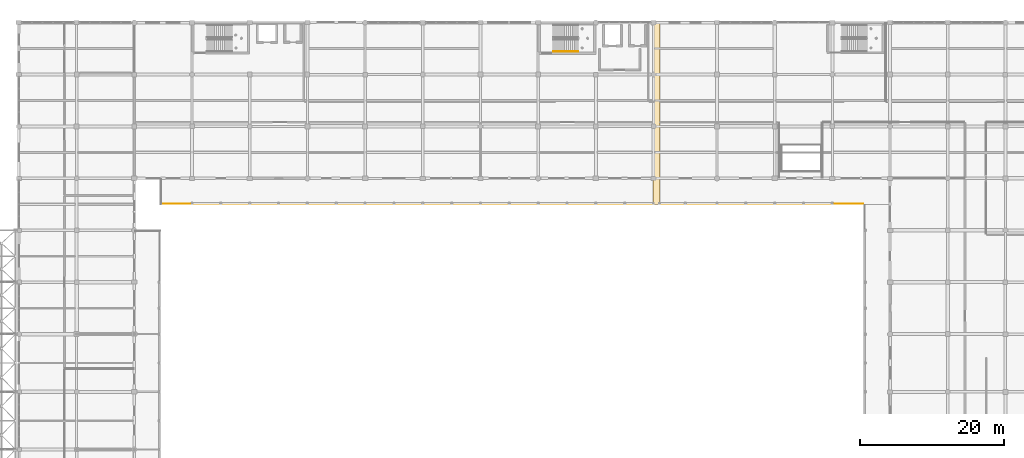
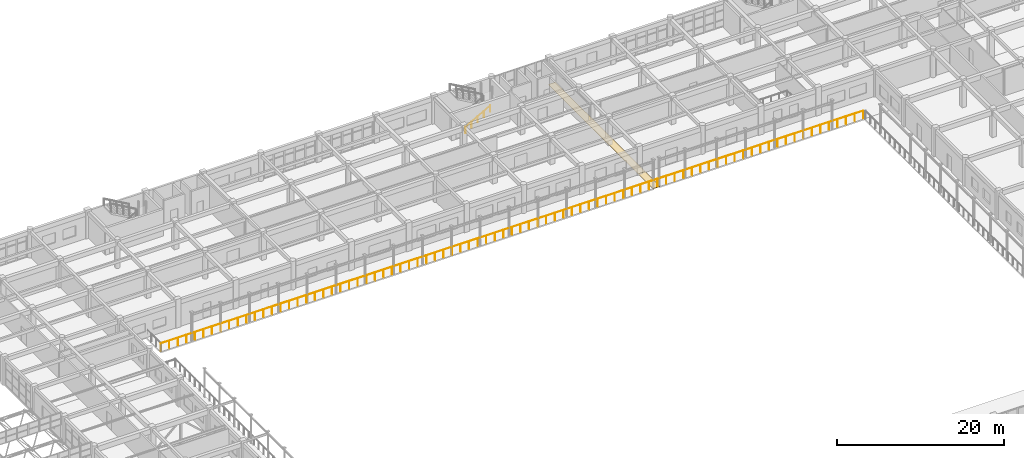
# One storey, part 190 of 195: 2 coverings, 2 railings.
"""IFC4 building model written with IfcOpenShell, lengths in metres."""

from ifc_helpers import new_model, si_unit, direction, frame, origin, origin_2d, place, context, subcontext, project, spatial, polyline, circle, outline, extrude, material, layer, layer_set, type_object, element, save


model = new_model("IFC4")

# Units and contexts
model_context = context("Model", 3, precision=1e-05, world=origin(), true_north=direction((0.0, 1.0)))
body_context = subcontext(model_context, "Body", "Model", "MODEL_VIEW")
ifc_project = project(units=[si_unit("LENGTHUNIT", "METRE"), si_unit("AREAUNIT", "SQUARE_METRE"), si_unit("VOLUMEUNIT", "CUBIC_METRE"), si_unit("PLANEANGLEUNIT", "RADIAN"), si_unit("MASSUNIT", "GRAM", prefix="KILO")], contexts=[model_context])

# Site, building, storey
site_placement = place(None, origin())
site = spatial("IfcSite", under=ifc_project, at=site_placement, CompositionType="ELEMENT")
building_placement = place(site_placement, origin())
building = spatial("IfcBuilding", under=site, at=building_placement, Name="Kharva Crest Polytechnic", CompositionType="ELEMENT")
storey_placement = place(building_placement, frame((0.0, 0.0, 9.0)))
storey = spatial("IfcBuildingStorey", under=building, at=storey_placement, Name="L02", CompositionType="ELEMENT", Elevation=9.0)

# Coverings
ifc_material_1 = material(Name="Anodised aluminium", Category="aluminium")
ifc_layer = layer(ifc_material_1, 0.030029296875, Name="Anodised aluminium")
ifc_layer_set = layer_set([ifc_layer], Name="Anodised aluminium")
covering_type = type_object("IfcCoveringType", Name="COV-SEISMIC-JOINT", PredefinedType="FLOORING", material=ifc_layer_set)
covering_1_placement = place(storey_placement, frame((0.0, 0.0, -0.030029296875)))
element("IfcCovering", 1, at=covering_1_placement, inside=storey, type_object=covering_type, Name="L02 Seismic Expansion Joint Floor Cover N_LAB", PredefinedType="FLOORING", context=body_context, shape_type="SweptSolid", body=[
    extrude(outline(polyline([(119.89990234375, 100.39990234375), (120.89990234375, 100.39990234375), (120.89990234375, 122.0), (119.89990234375, 122.0), (119.89990234375, 100.39990234375)])), origin(), (0.0, 0.0, 1.0), 0.030029296875),
])
covering_2_placement = place(storey_placement, frame((0.0, 0.0, -0.030029296875)))
element("IfcCovering", 2, at=covering_2_placement, inside=storey, type_object=covering_type, Name="L02 Veranda Expansion Joint Floor Cover VER_N_L02", PredefinedType="FLOORING", context=body_context, shape_type="SweptSolid", body=[
    extrude(outline(polyline([(119.89990234375, 96.800048828125), (120.89990234375, 96.800048828125), (120.89990234375, 100.39990234375), (119.89990234375, 100.39990234375), (119.89990234375, 96.800048828125)])), origin(), (0.0, 0.0, 1.0), 0.030029296875),
])

# Railings
railing_type_1 = type_object("IfcRailingType", Name="RL-BALUSTRADE-1200", PredefinedType="BALUSTRADE", material=ifc_material_1)
railing_1_placement = place(storey_placement, frame((51.659912109375, 96.8798828125, 0.0)))
element("IfcRailing", 3, at=railing_1_placement, inside=storey, type_object=railing_type_1, Name="L02 VER_N_L02 S Balustrade 15", PredefinedType="BALUSTRADE", context=body_context, shape_type="SweptSolid", body=[
    extrude(circle(Radius=0.02392578125, at=origin_2d()), frame((0.0, 0.0, 1.17578125), z_axis=(1.0, 0.0, 0.0), x_axis=(0.0, 1.0, 0.0)), (0.0, 0.0, 1.0), 97.42529296875),
    extrude(circle(Radius=0.02099609375, at=origin_2d()), origin(), (0.0, 0.0, 1.0), 1.15185546875),
    extrude(circle(Radius=0.02099609375, at=origin_2d()), frame((1.188232421875, 0.0, 0.0)), (0.0, 0.0, 1.0), 1.15185546875),
    extrude(circle(Radius=0.02099609375, at=origin_2d()), frame((2.376220703125, 0.0, 0.0)), (0.0, 0.0, 1.0), 1.15185546875),
    extrude(circle(Radius=0.02099609375, at=origin_2d()), frame((3.564453125, 0.0, 0.0)), (0.0, 0.0, 1.0), 1.15185546875),
    extrude(circle(Radius=0.02099609375, at=origin_2d()), frame((4.75244140625, 0.0, 0.0)), (0.0, 0.0, 1.0), 1.15185546875),
    extrude(circle(Radius=0.02099609375, at=origin_2d()), frame((5.940673828125, 0.0, 0.0)), (0.0, 0.0, 1.0), 1.15185546875),
    extrude(circle(Radius=0.02099609375, at=origin_2d()), frame((7.128662109375, 0.0, 0.0)), (0.0, 0.0, 1.0), 1.15185546875),
    extrude(circle(Radius=0.02099609375, at=origin_2d()), frame((8.31689453125, 0.0, 0.0)), (0.0, 0.0, 1.0), 1.15185546875),
    extrude(circle(Radius=0.02099609375, at=origin_2d()), frame((9.5048828125, 0.0, 0.0)), (0.0, 0.0, 1.0), 1.15185546875),
    extrude(circle(Radius=0.02099609375, at=origin_2d()), frame((10.693115234375, 0.0, 0.0)), (0.0, 0.0, 1.0), 1.15185546875),
    extrude(circle(Radius=0.02099609375, at=origin_2d()), frame((11.881103515625, 0.0, 0.0)), (0.0, 0.0, 1.0), 1.15185546875),
    extrude(circle(Radius=0.02099609375, at=origin_2d()), frame((13.0693359375, 0.0, 0.0)), (0.0, 0.0, 1.0), 1.15185546875),
    extrude(circle(Radius=0.02099609375, at=origin_2d()), frame((14.25732421875, 0.0, 0.0)), (0.0, 0.0, 1.0), 1.15185546875),
    extrude(circle(Radius=0.02099609375, at=origin_2d()), frame((15.445556640625, 0.0, 0.0)), (0.0, 0.0, 1.0), 1.15185546875),
    extrude(circle(Radius=0.02099609375, at=origin_2d()), frame((16.633544921875, 0.0, 0.0)), (0.0, 0.0, 1.0), 1.15185546875),
    extrude(circle(Radius=0.02099609375, at=origin_2d()), frame((17.82177734375, 0.0, 0.0)), (0.0, 0.0, 1.0), 1.15185546875),
    extrude(circle(Radius=0.02099609375, at=origin_2d()), frame((19.009765625, 0.0, 0.0)), (0.0, 0.0, 1.0), 1.15185546875),
    extrude(circle(Radius=0.02099609375, at=origin_2d()), frame((20.197998046875, 0.0, 0.0)), (0.0, 0.0, 1.0), 1.15185546875),
    extrude(circle(Radius=0.02099609375, at=origin_2d()), frame((21.385986328125, 0.0, 0.0)), (0.0, 0.0, 1.0), 1.15185546875),
    extrude(circle(Radius=0.02099609375, at=origin_2d()), frame((22.57421875, 0.0, 0.0)), (0.0, 0.0, 1.0), 1.15185546875),
    extrude(circle(Radius=0.02099609375, at=origin_2d()), frame((23.76220703125, 0.0, 0.0)), (0.0, 0.0, 1.0), 1.15185546875),
    extrude(circle(Radius=0.02099609375, at=origin_2d()), frame((24.950439453125, 0.0, 0.0)), (0.0, 0.0, 1.0), 1.15185546875),
    extrude(circle(Radius=0.02099609375, at=origin_2d()), frame((26.138427734375, 0.0, 0.0)), (0.0, 0.0, 1.0), 1.15185546875),
    extrude(circle(Radius=0.02099609375, at=origin_2d()), frame((27.32666015625, 0.0, 0.0)), (0.0, 0.0, 1.0), 1.15185546875),
    extrude(circle(Radius=0.02099609375, at=origin_2d()), frame((28.5146484375, 0.0, 0.0)), (0.0, 0.0, 1.0), 1.15185546875),
    extrude(circle(Radius=0.02099609375, at=origin_2d()), frame((29.702880859375, 0.0, 0.0)), (0.0, 0.0, 1.0), 1.15185546875),
    extrude(circle(Radius=0.02099609375, at=origin_2d()), frame((30.890869140625, 0.0, 0.0)), (0.0, 0.0, 1.0), 1.15185546875),
    extrude(circle(Radius=0.02099609375, at=origin_2d()), frame((32.0791015625, 0.0, 0.0)), (0.0, 0.0, 1.0), 1.15185546875),
    extrude(circle(Radius=0.02099609375, at=origin_2d()), frame((33.26708984375, 0.0, 0.0)), (0.0, 0.0, 1.0), 1.15185546875),
    extrude(circle(Radius=0.02099609375, at=origin_2d()), frame((34.455322265625, 0.0, 0.0)), (0.0, 0.0, 1.0), 1.15185546875),
    extrude(circle(Radius=0.02099609375, at=origin_2d()), frame((35.643310546875, 0.0, 0.0)), (0.0, 0.0, 1.0), 1.15185546875),
    extrude(circle(Radius=0.02099609375, at=origin_2d()), frame((36.83154296875, 0.0, 0.0)), (0.0, 0.0, 1.0), 1.15185546875),
    extrude(circle(Radius=0.02099609375, at=origin_2d()), frame((38.01953125, 0.0, 0.0)), (0.0, 0.0, 1.0), 1.15185546875),
    extrude(circle(Radius=0.02099609375, at=origin_2d()), frame((39.207763671875, 0.0, 0.0)), (0.0, 0.0, 1.0), 1.15185546875),
    extrude(circle(Radius=0.02099609375, at=origin_2d()), frame((40.395751953125, 0.0, 0.0)), (0.0, 0.0, 1.0), 1.15185546875),
    extrude(circle(Radius=0.02099609375, at=origin_2d()), frame((41.583984375, 0.0, 0.0)), (0.0, 0.0, 1.0), 1.15185546875),
    extrude(circle(Radius=0.02099609375, at=origin_2d()), frame((42.77197265625, 0.0, 0.0)), (0.0, 0.0, 1.0), 1.15185546875),
    extrude(circle(Radius=0.02099609375, at=origin_2d()), frame((43.960205078125, 0.0, 0.0)), (0.0, 0.0, 1.0), 1.15185546875),
    extrude(circle(Radius=0.02099609375, at=origin_2d()), frame((45.148193359375, 0.0, 0.0)), (0.0, 0.0, 1.0), 1.15185546875),
    extrude(circle(Radius=0.02099609375, at=origin_2d()), frame((46.33642578125, 0.0, 0.0)), (0.0, 0.0, 1.0), 1.15185546875),
    extrude(circle(Radius=0.02099609375, at=origin_2d()), frame((47.5244140625, 0.0, 0.0)), (0.0, 0.0, 1.0), 1.15185546875),
    extrude(circle(Radius=0.02099609375, at=origin_2d()), frame((48.712646484375, 0.0, 0.0)), (0.0, 0.0, 1.0), 1.15185546875),
    extrude(circle(Radius=0.02099609375, at=origin_2d()), frame((49.90087890625, 0.0, 0.0)), (0.0, 0.0, 1.0), 1.15185546875),
    extrude(circle(Radius=0.02099609375, at=origin_2d()), frame((51.0888671875, 0.0, 0.0)), (0.0, 0.0, 1.0), 1.15185546875),
    extrude(circle(Radius=0.02099609375, at=origin_2d()), frame((52.277099609375, 0.0, 0.0)), (0.0, 0.0, 1.0), 1.15185546875),
    extrude(circle(Radius=0.02099609375, at=origin_2d()), frame((53.465087890625, 0.0, 0.0)), (0.0, 0.0, 1.0), 1.15185546875),
    extrude(circle(Radius=0.02099609375, at=origin_2d()), frame((54.6533203125, 0.0, 0.0)), (0.0, 0.0, 1.0), 1.15185546875),
    extrude(circle(Radius=0.02099609375, at=origin_2d()), frame((55.84130859375, 0.0, 0.0)), (0.0, 0.0, 1.0), 1.15185546875),
    extrude(circle(Radius=0.02099609375, at=origin_2d()), frame((57.029541015625, 0.0, 0.0)), (0.0, 0.0, 1.0), 1.15185546875),
    extrude(circle(Radius=0.02099609375, at=origin_2d()), frame((58.217529296875, 0.0, 0.0)), (0.0, 0.0, 1.0), 1.15185546875),
    extrude(circle(Radius=0.02099609375, at=origin_2d()), frame((59.40576171875, 0.0, 0.0)), (0.0, 0.0, 1.0), 1.15185546875),
    extrude(circle(Radius=0.02099609375, at=origin_2d()), frame((60.59375, 0.0, 0.0)), (0.0, 0.0, 1.0), 1.15185546875),
    extrude(circle(Radius=0.02099609375, at=origin_2d()), frame((61.781982421875, 0.0, 0.0)), (0.0, 0.0, 1.0), 1.15185546875),
    extrude(circle(Radius=0.02099609375, at=origin_2d()), frame((62.969970703125, 0.0, 0.0)), (0.0, 0.0, 1.0), 1.15185546875),
    extrude(circle(Radius=0.02099609375, at=origin_2d()), frame((64.158203125, 0.0, 0.0)), (0.0, 0.0, 1.0), 1.15185546875),
    extrude(circle(Radius=0.02099609375, at=origin_2d()), frame((65.34619140625, 0.0, 0.0)), (0.0, 0.0, 1.0), 1.15185546875),
    extrude(circle(Radius=0.02099609375, at=origin_2d()), frame((66.534423828125, 0.0, 0.0)), (0.0, 0.0, 1.0), 1.15185546875),
    extrude(circle(Radius=0.02099609375, at=origin_2d()), frame((67.722412109375, 0.0, 0.0)), (0.0, 0.0, 1.0), 1.15185546875),
    extrude(circle(Radius=0.02099609375, at=origin_2d()), frame((68.91064453125, 0.0, 0.0)), (0.0, 0.0, 1.0), 1.15185546875),
    extrude(circle(Radius=0.02099609375, at=origin_2d()), frame((70.0986328125, 0.0, 0.0)), (0.0, 0.0, 1.0), 1.15185546875),
    extrude(circle(Radius=0.02099609375, at=origin_2d()), frame((71.286865234375, 0.0, 0.0)), (0.0, 0.0, 1.0), 1.15185546875),
    extrude(circle(Radius=0.02099609375, at=origin_2d()), frame((72.474853515625, 0.0, 0.0)), (0.0, 0.0, 1.0), 1.15185546875),
    extrude(circle(Radius=0.02099609375, at=origin_2d()), frame((73.6630859375, 0.0, 0.0)), (0.0, 0.0, 1.0), 1.15185546875),
    extrude(circle(Radius=0.02099609375, at=origin_2d()), frame((74.85107421875, 0.0, 0.0)), (0.0, 0.0, 1.0), 1.15185546875),
    extrude(circle(Radius=0.02099609375, at=origin_2d()), frame((76.039306640625, 0.0, 0.0)), (0.0, 0.0, 1.0), 1.15185546875),
    extrude(circle(Radius=0.02099609375, at=origin_2d()), frame((77.227294921875, 0.0, 0.0)), (0.0, 0.0, 1.0), 1.15185546875),
    extrude(circle(Radius=0.02099609375, at=origin_2d()), frame((78.41552734375, 0.0, 0.0)), (0.0, 0.0, 1.0), 1.15185546875),
    extrude(circle(Radius=0.02099609375, at=origin_2d()), frame((79.603515625, 0.0, 0.0)), (0.0, 0.0, 1.0), 1.15185546875),
    extrude(circle(Radius=0.02099609375, at=origin_2d()), frame((80.791748046875, 0.0, 0.0)), (0.0, 0.0, 1.0), 1.15185546875),
    extrude(circle(Radius=0.02099609375, at=origin_2d()), frame((81.979736328125, 0.0, 0.0)), (0.0, 0.0, 1.0), 1.15185546875),
    extrude(circle(Radius=0.02099609375, at=origin_2d()), frame((83.16796875, 0.0, 0.0)), (0.0, 0.0, 1.0), 1.15185546875),
    extrude(circle(Radius=0.02099609375, at=origin_2d()), frame((84.35595703125, 0.0, 0.0)), (0.0, 0.0, 1.0), 1.15185546875),
    extrude(circle(Radius=0.02099609375, at=origin_2d()), frame((85.544189453125, 0.0, 0.0)), (0.0, 0.0, 1.0), 1.15185546875),
    extrude(circle(Radius=0.02099609375, at=origin_2d()), frame((86.732177734375, 0.0, 0.0)), (0.0, 0.0, 1.0), 1.15185546875),
    extrude(circle(Radius=0.02099609375, at=origin_2d()), frame((87.92041015625, 0.0, 0.0)), (0.0, 0.0, 1.0), 1.15185546875),
    extrude(circle(Radius=0.02099609375, at=origin_2d()), frame((89.1083984375, 0.0, 0.0)), (0.0, 0.0, 1.0), 1.15185546875),
    extrude(circle(Radius=0.02099609375, at=origin_2d()), frame((90.296630859375, 0.0, 0.0)), (0.0, 0.0, 1.0), 1.15185546875),
    extrude(circle(Radius=0.02099609375, at=origin_2d()), frame((91.484619140625, 0.0, 0.0)), (0.0, 0.0, 1.0), 1.15185546875),
    extrude(circle(Radius=0.02099609375, at=origin_2d()), frame((92.6728515625, 0.0, 0.0)), (0.0, 0.0, 1.0), 1.15185546875),
    extrude(circle(Radius=0.02099609375, at=origin_2d()), frame((93.86083984375, 0.0, 0.0)), (0.0, 0.0, 1.0), 1.15185546875),
    extrude(circle(Radius=0.02099609375, at=origin_2d()), frame((95.049072265625, 0.0, 0.0)), (0.0, 0.0, 1.0), 1.15185546875),
    extrude(circle(Radius=0.02099609375, at=origin_2d()), frame((96.237060546875, 0.0, 0.0)), (0.0, 0.0, 1.0), 1.15185546875),
    extrude(circle(Radius=0.02099609375, at=origin_2d()), frame((97.42529296875, 0.0, 0.0)), (0.0, 0.0, 1.0), 1.15185546875),
])
ifc_material_2 = material(Name="Teak timber", Category="wood")
railing_type_2 = type_object("IfcRailingType", Name="RL-STAIR-HAND-900", PredefinedType="HANDRAIL", material=ifc_material_2)
railing_2_placement = place(storey_placement, frame((106.090087890625, 117.989990234375, 0.14990234375)))
element("IfcRailing", 4, at=railing_2_placement, inside=storey, type_object=railing_type_2, Name="L02 ST-04 stair handrail 1", PredefinedType="HANDRAIL", context=body_context, shape_type="SweptSolid", body=[
    extrude(circle(Radius=0.02392578125, at=origin_2d()), frame((0.0, 0.0, 0.8759765625), z_axis=(0.870224926921, 0.0, 0.492654621987), x_axis=(0.0, 1.0, 0.0)), (0.0, 0.0, 1.0), 3.95849609375),
    extrude(circle(Radius=0.02099609375, at=origin_2d()), origin(), (0.0, 0.0, 1.0), 0.851806640625),
    extrude(circle(Radius=0.02099609375, at=origin_2d()), frame((0.861328125, 0.0, 0.487548828125)), (0.0, 0.0, 1.0), 0.851806640625),
    extrude(circle(Radius=0.02099609375, at=origin_2d()), frame((1.722412109375, 0.0, 0.97509765625)), (0.0, 0.0, 1.0), 0.851806640625),
    extrude(circle(Radius=0.02099609375, at=origin_2d()), frame((2.58349609375, 0.0, 1.462646484375)), (0.0, 0.0, 1.0), 0.851806640625),
    extrude(circle(Radius=0.02099609375, at=origin_2d()), frame((3.44482421875, 0.0, 1.9501953125)), (0.0, 0.0, 1.0), 0.851806640625),
])

save(model, "model.ifc")
